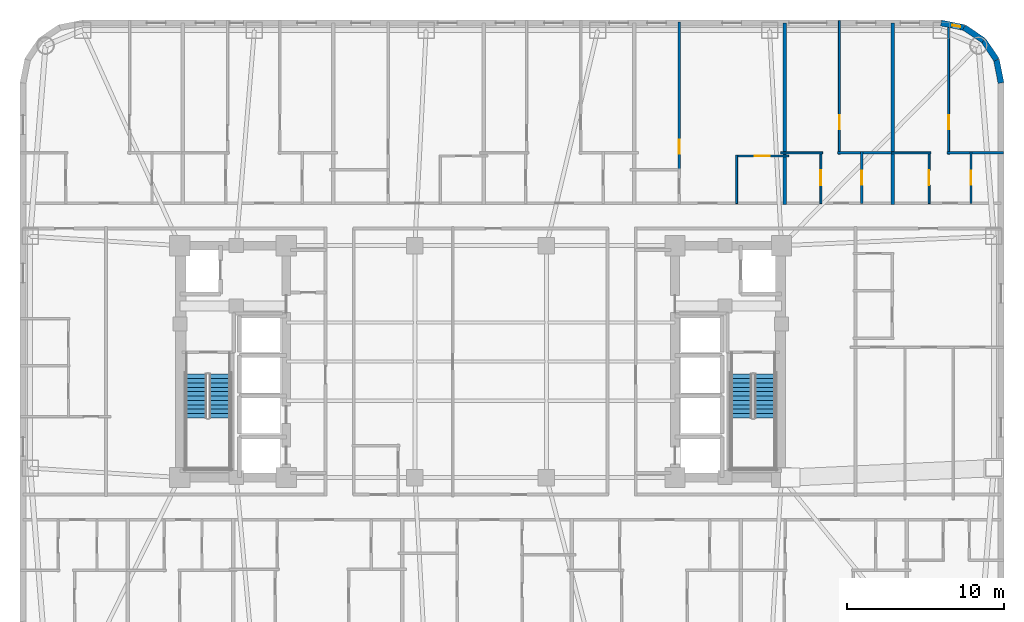
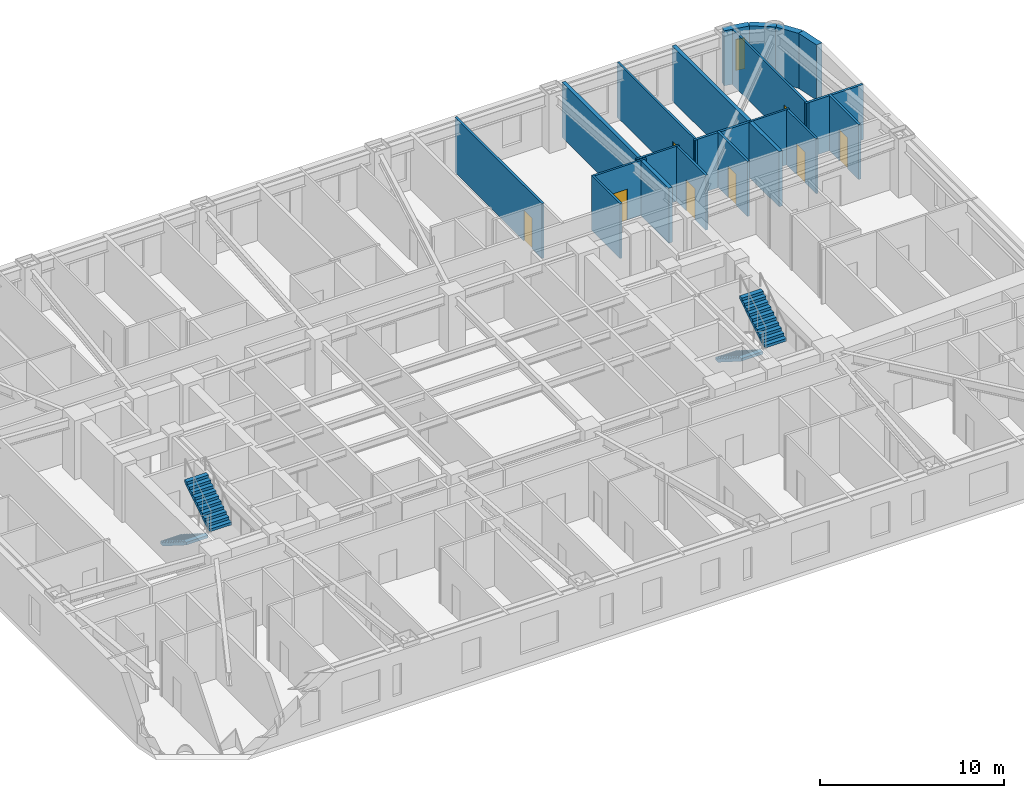
# One storey, part 9 of 11: 19 walls, 8 doors, 4 stair flights, 1 window, 9 openings, 2 elements without a shape of their own.
"""IFC4 building model written with IfcOpenShell, lengths in metres."""

from ifc_helpers import new_model, si_unit, direction, frame, frame_2d, origin, place, context, subcontext, project, spatial, polyline, rectangle, outline, extrude, material, layer, layer_set, type_object, element, fill, aggregate, save


model = new_model("IFC4")

# Units and contexts
model_context = context("Model", 3, precision=1e-05, world=origin(), true_north=direction((0.0, 1.0)))
body_context = subcontext(model_context, "Body", "Model", "MODEL_VIEW")
ifc_project = project(units=[si_unit("LENGTHUNIT", "METRE"), si_unit("AREAUNIT", "SQUARE_METRE"), si_unit("VOLUMEUNIT", "CUBIC_METRE"), si_unit("PLANEANGLEUNIT", "RADIAN"), si_unit("MASSUNIT", "GRAM", prefix="KILO")], contexts=[model_context])

# Site, building, storey
site_placement = place(None, origin())
site = spatial("IfcSite", under=ifc_project, at=site_placement, CompositionType="ELEMENT")
building_placement = place(site_placement, origin())
building = spatial("IfcBuilding", under=site, at=building_placement, Name="Voryun Gate Residences", CompositionType="ELEMENT")
storey_placement = place(building_placement, frame((0.0, 0.0, 97.5)))
storey = spatial("IfcBuildingStorey", under=building, at=storey_placement, Name="L23", CompositionType="ELEMENT", Elevation=97.5)

# Wall, opening, window
ifc_material_1 = material(Name="Granite masonry", Category="masonry")
ifc_layer_1 = layer(ifc_material_1, 0.3798828125, Name="W_EXT_GRANITE_380")
ifc_layer_set_1 = layer_set([ifc_layer_1], Name="Granite masonry")
wall_type_1 = type_object("IfcWallType", Name="W_EXT_GRANITE_380", PredefinedType="ELEMENTEDWALL", material=ifc_layer_set_1)
wall_1_placement = place(storey_placement, frame((29.38134765625, 21.610107421875, 0.0), z_axis=(0.0, 0.0, 1.0), x_axis=(0.980755066645, -0.195242155415, 0.0)))
wall_1 = element("IfcWall", 1, at=wall_1_placement, inside=storey, type_object=wall_type_1, Name="Exterior wall WEXT-L23-12", PredefinedType="ELEMENTEDWALL", context=body_context, shape_type="SweptSolid", body=[
    extrude(rectangle(XDim=1.50439453125, YDim=0.3798828125, at=frame_2d((0.752197265625, 0.0))), origin(), (0.0, 0.0, 1.0), 3.64990234375),
])
opening_1_placement = place(wall_1_placement, frame((0.732177734375, 0.0, 0.75)))
opening_1 = element("IfcOpeningElement", 2, at=opening_1_placement, cuts=wall_1, Name="Opening WN10", PredefinedType="OPENING", context=body_context, shape_type="SweptSolid", body=[
    extrude(rectangle(XDim=0.52001953125, YDim=2.050048828125, at=frame_2d((0.260009765625, 1.02490234375))), frame((0.0, 0.199951171875, 0.0), z_axis=(0.0, -1.0, 0.0), x_axis=(1.0, 0.0, 0.0)), (0.0, 0.0, 1.0), 0.39990234375),
])
ifc_material_2 = material(Name="Laminated low-E glass", Category="glass")
window_type = type_object("IfcWindowType", Name="WN_PAGODA_LANCET_520", PartitioningType="SINGLE_PANEL", PredefinedType="WINDOW", material=ifc_material_2)
window_placement = place(opening_1_placement, origin())
window = element("IfcWindow", 3, at=window_placement, inside=storey, type_object=window_type, Name="Window WN-L23-DWFIX-15", OverallHeight=2.050048828125, OverallWidth=0.52001953125, PartitioningType="SINGLE_PANEL", PredefinedType="WINDOW", context=body_context, shape_type="SweptSolid", body=[
    extrude(rectangle(XDim=0.52001953125, YDim=2.050048828125, at=frame_2d((0.260009765625, 1.02490234375))), frame((0.0, 0.030029296875, 0.0), z_axis=(0.0, -1.0, 0.0), x_axis=(1.0, 0.0, 0.0)), (0.0, 0.0, 1.0), 0.06005859375),
])
fill(opening_1, window)

# Walls
wall_2_placement = place(storey_placement, frame((30.856689453125, 21.31640625, 0.0), z_axis=(0.0, 0.0, 1.0), x_axis=(0.831468045563, -0.555572577804, 0.0)))
element("IfcWall", 4, at=wall_2_placement, inside=storey, type_object=wall_type_1, Name="Exterior wall WEXT-L23-13", PredefinedType="ELEMENTEDWALL", context=body_context, shape_type="SweptSolid", body=[
    extrude(rectangle(XDim=1.48486328125, YDim=0.3798828125, at=frame_2d((0.742431640625, 0.0))), origin(), (0.0, 0.0, 1.0), 3.64990234375),
])
wall_3_placement = place(storey_placement, frame((32.09130859375, 20.491455078125, 0.0), z_axis=(0.0, 0.0, 1.0), x_axis=(0.555610286119, -0.831442848281, 0.0)))
element("IfcWall", 5, at=wall_3_placement, inside=storey, type_object=wall_type_1, Name="Exterior wall WEXT-L23-14", PredefinedType="ELEMENTEDWALL", context=body_context, shape_type="SweptSolid", body=[
    extrude(rectangle(XDim=1.485107421875, YDim=0.3798828125, at=frame_2d((0.74267578125, 0.0))), origin(), (0.0, 0.0, 1.0), 3.64990234375),
])
wall_4_placement = place(storey_placement, frame((32.91650390625, 19.256591796875, 0.0), z_axis=(0.0, 0.0, 1.0), x_axis=(0.195086038585, -0.980786132421, 0.0)))
element("IfcWall", 6, at=wall_4_placement, inside=storey, type_object=wall_type_1, Name="Exterior wall WEXT-L23-15", PredefinedType="ELEMENTEDWALL", context=body_context, shape_type="SweptSolid", body=[
    extrude(rectangle(XDim=1.504150390625, YDim=0.3798828125, at=frame_2d((0.751953125, 0.0))), origin(), (0.0, 0.0, 1.0), 3.64990234375),
])
ifc_material_3 = material(Name="Concrete C40/50", Category="concrete")
ifc_layer_2 = layer(ifc_material_3, 0.219970703125, Name="W_PARTY_ACOUSTIC_220")
ifc_layer_set_2 = layer_set([ifc_layer_2], Name="Concrete C40/50")
wall_type_2 = type_object("IfcWallType", Name="W_PARTY_ACOUSTIC_220", PredefinedType="PARTITIONING", material=ifc_layer_set_2)
for number, where, z_axis, x_axis, name in (
    (7, (19.39990234375, 10.02001953125, 0.0), (0.0, 0.0, 1.0), (0.0, 1.0, 0.0), "Partition wall WP-L23-NPTY-5"),
    (8, (26.30908203125, 10.02001953125, 0.0), (0.0, 0.0, 1.0), (0.0, 1.0, 0.0), "Partition wall WP-L23-NPTY-6"),
):
    element("IfcWall", number, at=place(storey_placement, frame(where, z_axis=z_axis, x_axis=x_axis)), inside=storey, type_object=wall_type_2, Name=name, PredefinedType="PARTITIONING", context=body_context, shape_type="SweptSolid", body=[
        extrude(rectangle(XDim=11.590087890625, YDim=0.219970703125, at=frame_2d((5.794921875, 0.0))), origin(), (0.0, 0.0, 1.0), 3.64990234375),
    ])

# Wall, opening, door
ifc_material_4 = material(Name="Gypsum acoustic partition")
ifc_layer_3 = layer(ifc_material_4, 0.125, Name="W_UNIT_PART_125")
ifc_layer_set_3 = layer_set([ifc_layer_3], Name="Gypsum acoustic partition")
wall_type_3 = type_object("IfcWallType", Name="W_UNIT_PART_125", PredefinedType="PARTITIONING", material=ifc_layer_set_3)
wall_5_placement = place(storey_placement, frame((16.277099609375, 13.1201171875, 0.0), z_axis=(0.0, 0.0, 1.0), x_axis=(1.0, 0.0, 0.0)))
wall_5 = element("IfcWall", 9, at=wall_5_placement, inside=storey, type_object=wall_type_3, Name="Partition wall WP-L23-N5-KHY", PredefinedType="PARTITIONING", context=body_context, shape_type="SweptSolid", body=[
    extrude(rectangle(XDim=3.3828125, YDim=0.125, at=frame_2d((1.69140625, 0.0))), origin(), (0.0, 0.0, 1.0), 3.64990234375),
])
opening_2_placement = place(wall_5_placement, frame((1.216552734375, 0.0, 0.0)))
opening_2 = element("IfcOpeningElement", 10, at=opening_2_placement, cuts=wall_5, Name="Opening D-INT-1", PredefinedType="OPENING", context=body_context, shape_type="SweptSolid", body=[
    extrude(rectangle(XDim=0.949951171875, YDim=2.050048828125, at=frame_2d((0.47509765625, 1.02490234375))), frame((0.0, 0.072509765625, 0.0), z_axis=(0.0, -1.0, 0.0), x_axis=(1.0, 0.0, 0.0)), (0.0, 0.0, 1.0), 0.14501953125),
])
ifc_material_5 = material(Name="Architectural oak veneer")
door_type_1 = type_object("IfcDoorType", Name="DR_INT_ROOM_950", OperationType="NOTDEFINED", PredefinedType="DOOR", material=ifc_material_5)
door_1_placement = place(opening_2_placement, origin())
door_1 = element("IfcDoor", 11, at=door_1_placement, inside=storey, type_object=door_type_1, Name="Door DR-L23-N5-DK", OperationType="SINGLE_SWING_LEFT", OverallHeight=2.050048828125, OverallWidth=0.949951171875, PredefinedType="DOOR", context=body_context, shape_type="SweptSolid", body=[
    extrude(rectangle(XDim=0.949951171875, YDim=2.050048828125, at=frame_2d((0.47509765625, 1.02490234375))), frame((0.0, 0.02490234375, 0.0), z_axis=(0.0, -1.0, 0.0), x_axis=(1.0, 0.0, 0.0)), (0.0, 0.0, 1.0), 0.050048828125),
])
fill(opening_2, door_1)

# Wall
wall_6_placement = place(storey_placement, frame((16.3369140625, 10.080078125, 0.0), z_axis=(0.0, 0.0, 1.0), x_axis=(0.0, 1.0, 0.0)))
element("IfcWall", 12, at=wall_6_placement, inside=storey, type_object=wall_type_3, Name="Partition wall WP-L23-N5-KVX", PredefinedType="PARTITIONING", context=body_context, shape_type="SweptSolid", body=[
    extrude(rectangle(XDim=3.099853515625, YDim=0.125, at=frame_2d((1.5498046875, 0.0))), origin(), (0.0, 0.0, 1.0), 3.64990234375),
])

# Wall, opening, door
wall_7_placement = place(storey_placement, frame((22.89892578125, 13.239990234375, 0.0), z_axis=(0.0, 0.0, 1.0), x_axis=(0.0, 1.0, 0.0)))
wall_7 = element("IfcWall", 13, at=wall_7_placement, inside=storey, type_object=wall_type_3, Name="Partition wall WP-L23-N6-OVR", PredefinedType="PARTITIONING", context=body_context, shape_type="SweptSolid", body=[
    extrude(rectangle(XDim=8.52001953125, YDim=0.125, at=frame_2d((4.260009765625, 0.0))), origin(), (0.0, 0.0, 1.0), 3.64990234375),
])
opening_3_placement = place(wall_7_placement, frame((1.5947265625, 0.0, 0.0)))
opening_3 = element("IfcOpeningElement", 14, at=opening_3_placement, cuts=wall_7, Name="Opening D-INT-2", PredefinedType="OPENING", context=body_context, shape_type="SweptSolid", body=[
    extrude(rectangle(XDim=0.89990234375, YDim=2.050048828125, at=frame_2d((0.449951171875, 1.02490234375))), frame((0.0, 0.072509765625, 0.0), z_axis=(0.0, -1.0, 0.0), x_axis=(1.0, 0.0, 0.0)), (0.0, 0.0, 1.0), 0.14501953125),
])
ifc_material_6 = material(Name="Architectural oak veneer")
door_type_2 = type_object("IfcDoorType", Name="DR_INT_BATH_900", OperationType="NOTDEFINED", PredefinedType="DOOR", material=ifc_material_6)
door_2_placement = place(opening_3_placement, origin())
door_2 = element("IfcDoor", 15, at=door_2_placement, inside=storey, type_object=door_type_2, Name="Door DR-L23-N6-DMB", OperationType="SINGLE_SWING_RIGHT", OverallHeight=2.050048828125, OverallWidth=0.89990234375, PredefinedType="DOOR", context=body_context, shape_type="SweptSolid", body=[
    extrude(rectangle(XDim=0.89990234375, YDim=2.050048828125, at=frame_2d((0.449951171875, 1.02490234375))), frame((0.0, 0.02490234375, 0.0), z_axis=(0.0, -1.0, 0.0), x_axis=(1.0, 0.0, 0.0)), (0.0, 0.0, 1.0), 0.050048828125),
])
fill(opening_3, door_2)

wall_8_placement = place(storey_placement, frame((21.7099609375, 10.080078125, 0.0), z_axis=(0.0, 0.0, 1.0), x_axis=(0.0, 1.0, 0.0)))
wall_8 = element("IfcWall", 16, at=wall_8_placement, inside=storey, type_object=wall_type_3, Name="Partition wall WP-L23-N6-IVK", PredefinedType="PARTITIONING", context=body_context, shape_type="SweptSolid", body=[
    extrude(rectangle(XDim=3.31982421875, YDim=0.125, at=frame_2d((1.659912109375, 0.0))), origin(), (0.0, 0.0, 1.0), 3.64990234375),
])
opening_4_placement = place(wall_8_placement, frame((1.18505859375, 0.0, 0.0)))
opening_4 = element("IfcOpeningElement", 17, at=opening_4_placement, cuts=wall_8, Name="Opening D-INT-1", PredefinedType="OPENING", context=body_context, shape_type="SweptSolid", body=[
    extrude(rectangle(XDim=0.949951171875, YDim=2.050048828125, at=frame_2d((0.47509765625, 1.02490234375))), frame((0.0, 0.072509765625, 0.0), z_axis=(0.0, -1.0, 0.0), x_axis=(1.0, 0.0, 0.0)), (0.0, 0.0, 1.0), 0.14501953125),
])
door_3_placement = place(opening_4_placement, origin())
door_3 = element("IfcDoor", 18, at=door_3_placement, inside=storey, type_object=door_type_1, Name="Door DR-L23-N6-DK", OperationType="SINGLE_SWING_LEFT", OverallHeight=2.050048828125, OverallWidth=0.949951171875, PredefinedType="DOOR", context=body_context, shape_type="SweptSolid", body=[
    extrude(rectangle(XDim=0.949951171875, YDim=2.050048828125, at=frame_2d((0.47509765625, 1.02490234375))), frame((0.0, 0.02490234375, 0.0), z_axis=(0.0, -1.0, 0.0), x_axis=(1.0, 0.0, 0.0)), (0.0, 0.0, 1.0), 0.050048828125),
])
fill(opening_4, door_3)

# Wall
wall_9_placement = place(storey_placement, frame((19.139892578125, 13.320068359375, 0.0), z_axis=(0.0, 0.0, 1.0), x_axis=(1.0, 0.0, 0.0)))
element("IfcWall", 19, at=wall_9_placement, inside=storey, type_object=wall_type_3, Name="Partition wall WP-L23-N6-HZK", PredefinedType="PARTITIONING", context=body_context, shape_type="SweptSolid", body=[
    extrude(rectangle(XDim=2.690185546875, YDim=0.125, at=frame_2d((1.34521484375, 0.0))), origin(), (0.0, 0.0, 1.0), 3.64990234375),
])

# Wall, opening, door
wall_10_placement = place(storey_placement, frame((29.867919921875, 13.239990234375, 0.0), z_axis=(0.0, 0.0, 1.0), x_axis=(0.0, 1.0, 0.0)))
wall_10 = element("IfcWall", 20, at=wall_10_placement, inside=storey, type_object=wall_type_3, Name="Partition wall WP-L23-N7-OVR", PredefinedType="PARTITIONING", context=body_context, shape_type="SweptSolid", body=[
    extrude(rectangle(XDim=8.426025390625, YDim=0.125, at=frame_2d((4.212890625, 0.0))), origin(), (0.0, 0.0, 1.0), 3.64990234375),
])
opening_5_placement = place(wall_10_placement, frame((1.572265625, 0.0, 0.0)))
opening_5 = element("IfcOpeningElement", 21, at=opening_5_placement, cuts=wall_10, Name="Opening D-INT-2", PredefinedType="OPENING", context=body_context, shape_type="SweptSolid", body=[
    extrude(rectangle(XDim=0.89990234375, YDim=2.050048828125, at=frame_2d((0.449951171875, 1.02490234375))), frame((0.0, 0.072509765625, 0.0), z_axis=(0.0, -1.0, 0.0), x_axis=(1.0, 0.0, 0.0)), (0.0, 0.0, 1.0), 0.14501953125),
])
door_4_placement = place(opening_5_placement, origin())
door_4 = element("IfcDoor", 22, at=door_4_placement, inside=storey, type_object=door_type_2, Name="Door DR-L23-N7-DMB", OperationType="SINGLE_SWING_RIGHT", OverallHeight=2.050048828125, OverallWidth=0.89990234375, PredefinedType="DOOR", context=body_context, shape_type="SweptSolid", body=[
    extrude(rectangle(XDim=0.89990234375, YDim=2.050048828125, at=frame_2d((0.449951171875, 1.02490234375))), frame((0.0, 0.02490234375, 0.0), z_axis=(0.0, -1.0, 0.0), x_axis=(1.0, 0.0, 0.0)), (0.0, 0.0, 1.0), 0.050048828125),
])
fill(opening_5, door_4)

wall_11_placement = place(storey_placement, frame((28.618896484375, 10.080078125, 0.0), z_axis=(0.0, 0.0, 1.0), x_axis=(0.0, 1.0, 0.0)))
wall_11 = element("IfcWall", 23, at=wall_11_placement, inside=storey, type_object=wall_type_3, Name="Partition wall WP-L23-N7-IVK", PredefinedType="PARTITIONING", context=body_context, shape_type="SweptSolid", body=[
    extrude(rectangle(XDim=3.31982421875, YDim=0.125, at=frame_2d((1.659912109375, 0.0))), origin(), (0.0, 0.0, 1.0), 3.64990234375),
])
opening_6_placement = place(wall_11_placement, frame((1.18505859375, 0.0, 0.0)))
opening_6 = element("IfcOpeningElement", 24, at=opening_6_placement, cuts=wall_11, Name="Opening D-INT-1", PredefinedType="OPENING", context=body_context, shape_type="SweptSolid", body=[
    extrude(rectangle(XDim=0.949951171875, YDim=2.050048828125, at=frame_2d((0.47509765625, 1.02490234375))), frame((0.0, 0.072509765625, 0.0), z_axis=(0.0, -1.0, 0.0), x_axis=(1.0, 0.0, 0.0)), (0.0, 0.0, 1.0), 0.14501953125),
])
door_5_placement = place(opening_6_placement, origin())
door_5 = element("IfcDoor", 25, at=door_5_placement, inside=storey, type_object=door_type_1, Name="Door DR-L23-N7-DK", OperationType="SINGLE_SWING_LEFT", OverallHeight=2.050048828125, OverallWidth=0.949951171875, PredefinedType="DOOR", context=body_context, shape_type="SweptSolid", body=[
    extrude(rectangle(XDim=0.949951171875, YDim=2.050048828125, at=frame_2d((0.47509765625, 1.02490234375))), frame((0.0, 0.02490234375, 0.0), z_axis=(0.0, -1.0, 0.0), x_axis=(1.0, 0.0, 0.0)), (0.0, 0.0, 1.0), 0.050048828125),
])
fill(opening_6, door_5)

# Wall
wall_12_placement = place(storey_placement, frame((26.23388671875, 13.320068359375, 0.0), z_axis=(0.0, 0.0, 1.0), x_axis=(1.0, 0.0, 0.0)))
element("IfcWall", 26, at=wall_12_placement, inside=storey, type_object=wall_type_3, Name="Partition wall WP-L23-N7-HZK", PredefinedType="PARTITIONING", context=body_context, shape_type="SweptSolid", body=[
    extrude(rectangle(XDim=2.505126953125, YDim=0.125, at=frame_2d((1.25244140625, 0.0))), origin(), (0.0, 0.0, 1.0), 3.64990234375),
])

# Wall, opening, door
ifc_material_7 = material(Name="Gypsum moisture-resistant partition")
ifc_layer_4 = layer(ifc_material_7, 0.14990234375, Name="W_WET_PLUMB_150")
ifc_layer_set_4 = layer_set([ifc_layer_4], Name="Gypsum moisture-resistant partition")
wall_type_4 = type_object("IfcWallType", Name="W_WET_PLUMB_150", PredefinedType="PLUMBINGWALL", material=ifc_layer_set_4)
wall_13_placement = place(storey_placement, frame((12.666015625, 12.199951171875, 0.0), z_axis=(0.0, 0.0, 1.0), x_axis=(0.0, 1.0, 0.0)))
wall_13 = element("IfcWall", 27, at=wall_13_placement, inside=storey, type_object=wall_type_4, Name="Partition wall WP-L23-N5-LVX2", PredefinedType="PLUMBINGWALL", context=body_context, shape_type="SweptSolid", body=[
    extrude(rectangle(XDim=9.457763671875, YDim=0.14990234375, at=frame_2d((4.72900390625, 0.0))), origin(), (0.0, 0.0, 1.0), 3.64990234375),
])
opening_7_placement = place(wall_13_placement, frame((1.063232421875, 0.0, 0.0)))
opening_7 = element("IfcOpeningElement", 28, at=opening_7_placement, cuts=wall_13, Name="Opening D-INT-2", PredefinedType="OPENING", context=body_context, shape_type="SweptSolid", body=[
    extrude(rectangle(XDim=0.89990234375, YDim=2.050048828125, at=frame_2d((0.449951171875, 1.02490234375))), frame((0.0, 0.0849609375, 0.0), z_axis=(0.0, -1.0, 0.0), x_axis=(1.0, 0.0, 0.0)), (0.0, 0.0, 1.0), 0.169921875),
])
door_6_placement = place(opening_7_placement, origin())
door_6 = element("IfcDoor", 29, at=door_6_placement, inside=storey, type_object=door_type_2, Name="Door DR-L23-N5-DMB", OperationType="SINGLE_SWING_RIGHT", OverallHeight=2.050048828125, OverallWidth=0.89990234375, PredefinedType="DOOR", context=body_context, shape_type="SweptSolid", body=[
    extrude(rectangle(XDim=0.89990234375, YDim=2.050048828125, at=frame_2d((0.449951171875, 1.02490234375))), frame((0.0, 0.02490234375, 0.0), z_axis=(0.0, -1.0, 0.0), x_axis=(1.0, 0.0, 0.0)), (0.0, 0.0, 1.0), 0.050048828125),
])
fill(opening_7, door_6)

# Wall
wall_14_placement = place(storey_placement, frame((22.779052734375, 13.320068359375, 0.0), z_axis=(0.0, 0.0, 1.0), x_axis=(1.0, 0.0, 0.0)))
element("IfcWall", 30, at=wall_14_placement, inside=storey, type_object=wall_type_4, Name="Partition wall WP-L23-N6-HZB", PredefinedType="PLUMBINGWALL", context=body_context, shape_type="SweptSolid", body=[
    extrude(rectangle(XDim=3.60498046875, YDim=0.14990234375, at=frame_2d((1.802490234375, 0.0))), origin(), (0.0, 0.0, 1.0), 3.64990234375),
])

# Wall, opening, door
wall_15_placement = place(storey_placement, frame((24.3291015625, 10.080078125, 0.0), z_axis=(0.0, 0.0, 1.0), x_axis=(0.0, 1.0, 0.0)))
wall_15 = element("IfcWall", 31, at=wall_15_placement, inside=storey, type_object=wall_type_4, Name="Partition wall WP-L23-N6-IVB", PredefinedType="PLUMBINGWALL", context=body_context, shape_type="SweptSolid", body=[
    extrude(rectangle(XDim=3.31982421875, YDim=0.14990234375, at=frame_2d((1.659912109375, 0.0))), origin(), (0.0, 0.0, 1.0), 3.64990234375),
])
opening_8_placement = place(wall_15_placement, frame((1.2099609375, 0.0, 0.0)))
opening_8 = element("IfcOpeningElement", 32, at=opening_8_placement, cuts=wall_15, Name="Opening D-INT-2", PredefinedType="OPENING", context=body_context, shape_type="SweptSolid", body=[
    extrude(rectangle(XDim=0.89990234375, YDim=2.050048828125, at=frame_2d((0.449951171875, 1.02490234375))), frame((0.0, 0.0849609375, 0.0), z_axis=(0.0, -1.0, 0.0), x_axis=(1.0, 0.0, 0.0)), (0.0, 0.0, 1.0), 0.169921875),
])
door_7_placement = place(opening_8_placement, origin())
door_7 = element("IfcDoor", 33, at=door_7_placement, inside=storey, type_object=door_type_2, Name="Door DR-L23-N6-DB", OperationType="SINGLE_SWING_RIGHT", OverallHeight=2.050048828125, OverallWidth=0.89990234375, PredefinedType="DOOR", context=body_context, shape_type="SweptSolid", body=[
    extrude(rectangle(XDim=0.89990234375, YDim=2.050048828125, at=frame_2d((0.449951171875, 1.02490234375))), frame((0.0, 0.02490234375, 0.0), z_axis=(0.0, -1.0, 0.0), x_axis=(1.0, 0.0, 0.0)), (0.0, 0.0, 1.0), 0.050048828125),
])
fill(opening_8, door_7)

# Wall
wall_16_placement = place(storey_placement, frame((29.748046875, 13.320068359375, 0.0), z_axis=(0.0, 0.0, 1.0), x_axis=(1.0, 0.0, 0.0)))
element("IfcWall", 34, at=wall_16_placement, inside=storey, type_object=wall_type_4, Name="Partition wall WP-L23-N7-HZB", PredefinedType="PLUMBINGWALL", context=body_context, shape_type="SweptSolid", body=[
    extrude(rectangle(XDim=3.612060546875, YDim=0.14990234375, at=frame_2d((1.80615234375, 0.0))), origin(), (0.0, 0.0, 1.0), 3.64990234375),
])

# Wall, opening, door
wall_17_placement = place(storey_placement, frame((31.298095703125, 10.080078125, 0.0), z_axis=(0.0, 0.0, 1.0), x_axis=(0.0, 1.0, 0.0)))
wall_17 = element("IfcWall", 35, at=wall_17_placement, inside=storey, type_object=wall_type_4, Name="Partition wall WP-L23-N7-IVB", PredefinedType="PLUMBINGWALL", context=body_context, shape_type="SweptSolid", body=[
    extrude(rectangle(XDim=3.31982421875, YDim=0.14990234375, at=frame_2d((1.659912109375, 0.0))), origin(), (0.0, 0.0, 1.0), 3.64990234375),
])
opening_9_placement = place(wall_17_placement, frame((1.2099609375, 0.0, 0.0)))
opening_9 = element("IfcOpeningElement", 36, at=opening_9_placement, cuts=wall_17, Name="Opening D-INT-2", PredefinedType="OPENING", context=body_context, shape_type="SweptSolid", body=[
    extrude(rectangle(XDim=0.89990234375, YDim=2.050048828125, at=frame_2d((0.449951171875, 1.02490234375))), frame((0.0, 0.0849609375, 0.0), z_axis=(0.0, -1.0, 0.0), x_axis=(1.0, 0.0, 0.0)), (0.0, 0.0, 1.0), 0.169921875),
])
door_8_placement = place(opening_9_placement, origin())
door_8 = element("IfcDoor", 37, at=door_8_placement, inside=storey, type_object=door_type_2, Name="Door DR-L23-N7-DB", OperationType="SINGLE_SWING_RIGHT", OverallHeight=2.050048828125, OverallWidth=0.89990234375, PredefinedType="DOOR", context=body_context, shape_type="SweptSolid", body=[
    extrude(rectangle(XDim=0.89990234375, YDim=2.050048828125, at=frame_2d((0.449951171875, 1.02490234375))), frame((0.0, 0.02490234375, 0.0), z_axis=(0.0, -1.0, 0.0), x_axis=(1.0, 0.0, 0.0)), (0.0, 0.0, 1.0), 0.050048828125),
])
fill(opening_9, door_8)

# Stair, stair flights
ifc_material_8 = material(Name="Concrete C40/50", Category="concrete")
stair_type = type_object("IfcStairType", Name="STR_CORE_DOGLEG_1350", PredefinedType="HALF_TURN_STAIR", material=ifc_material_8)
stair_1_placement = place(storey_placement, origin())
stair_1 = element("IfcStair", 38, at=stair_1_placement, inside=storey, type_object=stair_type, Name="L23 Special Escape Stair ST-W1", PredefinedType="HALF_TURN_STAIR")
ifc_material_9 = material(Name="Concrete C40/50", Category="concrete")
stair_flight_type = type_object("IfcStairFlightType", Name="FLT_CORE_1350", PredefinedType="STRAIGHT", material=ifc_material_9)
stair_flight_1_placement = place(storey_placement, frame((-18.14990234375, -0.800048828125, 0.0), z_axis=(0.0, 0.0, 1.0), x_axis=(0.0, -1.0, 0.0)))
stair_flight_1 = element("IfcStairFlight", 39, at=stair_flight_1_placement, type_object=stair_flight_type, Name="ST-W1 flight 1", NumberOfRisers=11, NumberOfTreads=10, PredefinedType="STRAIGHT", RiserHeight=0.177272727, TreadLength=0.28, context=body_context, shape_type="SweptSolid", body=[
    extrude(outline(polyline([(0.0, 0.0), (0.0, 0.17724609375), (0.280029296875, 0.17724609375), (0.280029296875, 0.3544921875), (0.56005859375, 0.3544921875), (0.56005859375, 0.53173828125), (0.840087890625, 0.53173828125), (0.840087890625, 0.708984375), (1.1201171875, 0.708984375), (1.1201171875, 0.886474609375), (1.39990234375, 0.886474609375), (1.39990234375, 1.063720703125), (1.679931640625, 1.063720703125), (1.679931640625, 1.240966796875), (1.9599609375, 1.240966796875), (1.9599609375, 1.418212890625), (2.239990234375, 1.418212890625), (2.239990234375, 1.595458984375), (2.52001953125, 1.595458984375), (2.52001953125, 1.772705078125), (2.800048828125, 1.772705078125), (2.800048828125, 1.949951171875), (2.800048828125, 1.59521484375), (0.2802734375, 0.0), (0.0, 0.0)])), frame((0.0, 0.675048828125, 0.0), z_axis=(0.0, -1.0, 0.0), x_axis=(1.0, 0.0, 0.0)), (0.0, 0.0, 1.0), 1.35009765625),
])
stair_flight_2_placement = place(storey_placement, frame((-16.64990234375, -3.60009765625, 1.949951171875), z_axis=(0.0, 0.0, 1.0), x_axis=(0.0, 1.0, 0.0)))
stair_flight_2 = element("IfcStairFlight", 40, at=stair_flight_2_placement, type_object=stair_flight_type, Name="ST-W1 flight 2", NumberOfRisers=11, NumberOfTreads=10, PredefinedType="STRAIGHT", RiserHeight=0.177272727, TreadLength=0.28, context=body_context, shape_type="SweptSolid", body=[
    extrude(outline(polyline([(0.0, 0.0), (0.0, 0.17724609375), (0.280029296875, 0.17724609375), (0.280029296875, 0.3544921875), (0.56005859375, 0.3544921875), (0.56005859375, 0.53173828125), (0.840087890625, 0.53173828125), (0.840087890625, 0.708984375), (1.1201171875, 0.708984375), (1.1201171875, 0.886474609375), (1.39990234375, 0.886474609375), (1.39990234375, 1.063720703125), (1.679931640625, 1.063720703125), (1.679931640625, 1.240966796875), (1.9599609375, 1.240966796875), (1.9599609375, 1.418212890625), (2.239990234375, 1.418212890625), (2.239990234375, 1.595458984375), (2.52001953125, 1.595458984375), (2.52001953125, 1.772705078125), (2.800048828125, 1.772705078125), (2.800048828125, 1.949951171875), (2.800048828125, 1.59521484375), (0.2802734375, 0.0), (0.0, 0.0)])), frame((0.0, 0.675048828125, 0.0), z_axis=(0.0, -1.0, 0.0), x_axis=(1.0, 0.0, 0.0)), (0.0, 0.0, 1.0), 1.35009765625),
])
aggregate(stair_1, [stair_flight_1, stair_flight_2])

stair_2_placement = place(storey_placement, origin())
stair_2 = element("IfcStair", 41, at=stair_2_placement, inside=storey, type_object=stair_type, Name="L23 Special Escape Stair ST-E1", PredefinedType="HALF_TURN_STAIR")
stair_flight_3_placement = place(storey_placement, frame((16.64990234375, -0.800048828125, 0.0), z_axis=(0.0, 0.0, 1.0), x_axis=(0.0, -1.0, 0.0)))
stair_flight_3 = element("IfcStairFlight", 42, at=stair_flight_3_placement, type_object=stair_flight_type, Name="ST-E1 flight 1", NumberOfRisers=11, NumberOfTreads=10, PredefinedType="STRAIGHT", RiserHeight=0.177272727, TreadLength=0.28, context=body_context, shape_type="SweptSolid", body=[
    extrude(outline(polyline([(0.0, 0.0), (0.0, 0.17724609375), (0.280029296875, 0.17724609375), (0.280029296875, 0.3544921875), (0.56005859375, 0.3544921875), (0.56005859375, 0.53173828125), (0.840087890625, 0.53173828125), (0.840087890625, 0.708984375), (1.1201171875, 0.708984375), (1.1201171875, 0.886474609375), (1.39990234375, 0.886474609375), (1.39990234375, 1.063720703125), (1.679931640625, 1.063720703125), (1.679931640625, 1.240966796875), (1.9599609375, 1.240966796875), (1.9599609375, 1.418212890625), (2.239990234375, 1.418212890625), (2.239990234375, 1.595458984375), (2.52001953125, 1.595458984375), (2.52001953125, 1.772705078125), (2.800048828125, 1.772705078125), (2.800048828125, 1.949951171875), (2.800048828125, 1.59521484375), (0.2802734375, 0.0), (0.0, 0.0)])), frame((0.0, 0.675048828125, 0.0), z_axis=(0.0, -1.0, 0.0), x_axis=(1.0, 0.0, 0.0)), (0.0, 0.0, 1.0), 1.35009765625),
])
stair_flight_4_placement = place(storey_placement, frame((18.14990234375, -3.60009765625, 1.949951171875), z_axis=(0.0, 0.0, 1.0), x_axis=(0.0, 1.0, 0.0)))
stair_flight_4 = element("IfcStairFlight", 43, at=stair_flight_4_placement, type_object=stair_flight_type, Name="ST-E1 flight 2", NumberOfRisers=11, NumberOfTreads=10, PredefinedType="STRAIGHT", RiserHeight=0.177272727, TreadLength=0.28, context=body_context, shape_type="SweptSolid", body=[
    extrude(outline(polyline([(0.0, 0.0), (0.0, 0.17724609375), (0.280029296875, 0.17724609375), (0.280029296875, 0.3544921875), (0.56005859375, 0.3544921875), (0.56005859375, 0.53173828125), (0.840087890625, 0.53173828125), (0.840087890625, 0.708984375), (1.1201171875, 0.708984375), (1.1201171875, 0.886474609375), (1.39990234375, 0.886474609375), (1.39990234375, 1.063720703125), (1.679931640625, 1.063720703125), (1.679931640625, 1.240966796875), (1.9599609375, 1.240966796875), (1.9599609375, 1.418212890625), (2.239990234375, 1.418212890625), (2.239990234375, 1.595458984375), (2.52001953125, 1.595458984375), (2.52001953125, 1.772705078125), (2.800048828125, 1.772705078125), (2.800048828125, 1.949951171875), (2.800048828125, 1.59521484375), (0.2802734375, 0.0), (0.0, 0.0)])), frame((0.0, 0.675048828125, 0.0), z_axis=(0.0, -1.0, 0.0), x_axis=(1.0, 0.0, 0.0)), (0.0, 0.0, 1.0), 1.35009765625),
])
aggregate(stair_2, [stair_flight_3, stair_flight_4])

save(model, "model.ifc")
